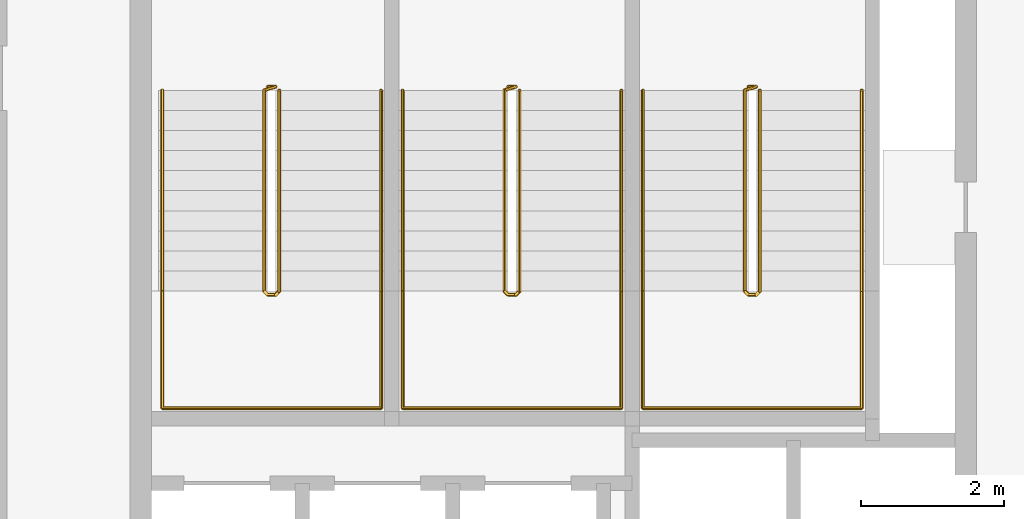
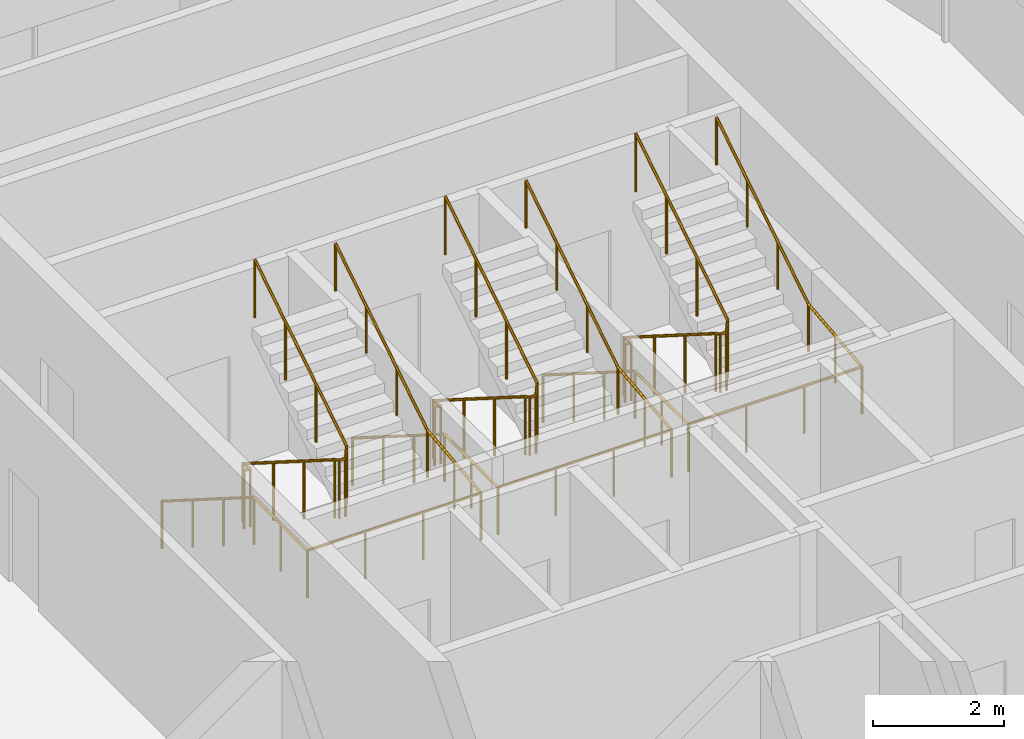
# One storey, part 9 of 9: 6 railings.
"""IFC4 building model written with IfcOpenShell, lengths in metres."""

from ifc_helpers import new_model, si_unit, direction, frame, origin, origin_2d, place, context, subcontext, project, spatial, circle, extrude, material, type_object, element, save


model = new_model("IFC4")

# Units and contexts
model_context = context("Model", 3, precision=1e-05, world=origin(), true_north=direction((0.0, 1.0)))
body_context = subcontext(model_context, "Body", "Model", "MODEL_VIEW")
ifc_project = project(units=[si_unit("LENGTHUNIT", "METRE"), si_unit("AREAUNIT", "SQUARE_METRE"), si_unit("VOLUMEUNIT", "CUBIC_METRE"), si_unit("PLANEANGLEUNIT", "RADIAN"), si_unit("MASSUNIT", "GRAM", prefix="KILO")], contexts=[model_context])

# Site, building, storey
site_placement = place(None, origin())
site = spatial("IfcSite", under=ifc_project, at=site_placement, CompositionType="ELEMENT")
building_placement = place(site_placement, origin())
building = spatial("IfcBuilding", under=site, at=building_placement, Name="Tessera Arch", CompositionType="ELEMENT")
storey_placement = place(building_placement, frame((0.0, 0.0, 309.0)))
storey = spatial("IfcBuildingStorey", under=building, at=storey_placement, Name="L74", CompositionType="ELEMENT", Elevation=309.0)

# Railings
ifc_material_1 = material(Name="Painted steel balustrade", Category="steel")
railing_type_1 = type_object("IfcRailingType", Name="Stair guard 1100", PredefinedType="GUARDRAIL", material=ifc_material_1)
railing_1_placement = place(storey_placement, frame((38.219970703125, 43.6298828125, 0.0)))
element("IfcRailing", 1, at=railing_1_placement, inside=storey, type_object=railing_type_1, Name="L74 S1a stair guard 1", PredefinedType="GUARDRAIL", context=body_context, shape_type="SweptSolid", body=[
    extrude(circle(Radius=0.02392578125, at=origin_2d()), frame((-0.00390625, 0.0, 1.076171875), z_axis=(1.0, 0.0, 0.0), x_axis=(0.0, 1.0, 0.0)), (0.0, 0.0, 1.0), 0.1181640625),
    extrude(circle(Radius=0.02392578125, at=origin_2d()), frame((0.11279296875, 0.000732421875, 1.0732421875), z_axis=(-0.656319048605, -0.204099216335, 0.726353093426), x_axis=(0.296948579431, -0.954893471113, 0.0)), (0.0, 0.0, 1.0), 0.251953125),
    extrude(circle(Radius=0.02392578125, at=origin_2d()), frame((-0.050048828125, -0.04638671875, 1.251220703125), z_axis=(0.0, -0.844908973607, 0.534910110503), x_axis=(1.0, 0.0, 0.0)), (0.0, 0.0, 1.0), 3.322021484375),
    extrude(circle(Radius=0.02392578125, at=origin_2d()), frame((-0.052978515625, -2.846923828125, 3.02587890625), z_axis=(0.707106781187, -0.707106781187, 0.0), x_axis=(0.707106781187, 0.707106781187, 0.0)), (0.0, 0.0, 1.0), 0.078857421875),
    extrude(circle(Radius=0.02392578125, at=origin_2d()), frame((-0.00390625, -2.89990234375, 3.02587890625), z_axis=(1.0, 0.0, 0.0), x_axis=(0.0, 1.0, 0.0)), (0.0, 0.0, 1.0), 0.1181640625),
    extrude(circle(Radius=0.02392578125, at=origin_2d()), frame((0.109130859375, -2.90087890625, 3.022216796875), z_axis=(0.261041864531, 0.262321481514, 0.929001929653), x_axis=(-0.708833529934, 0.705375805398, 0.0)), (0.0, 0.0, 1.0), 0.19873046875),
    extrude(circle(Radius=0.02392578125, at=origin_2d()), frame((0.159912109375, -2.853271484375, 3.201171875), z_axis=(0.0, 0.844908973607, 0.534910110503), x_axis=(-1.0, 0.0, 0.0)), (0.0, 0.0, 1.0), 3.322021484375),
    extrude(circle(Radius=0.02099609375, at=origin_2d()), origin(), (0.0, 0.0, 1.0), 1.06396484375),
    extrude(circle(Radius=0.02099609375, at=origin_2d()), frame((0.110107421875, 0.0, 0.0)), (0.0, 0.0, 1.0), 1.06396484375),
    extrude(circle(Radius=0.02099609375, at=origin_2d()), frame((-0.050048828125, -0.0498046875, 0.17724609375)), (0.0, 0.0, 1.0), 1.06396484375),
    extrude(circle(Radius=0.02099609375, at=origin_2d()), frame((-0.050048828125, -0.983154296875, 0.76806640625)), (0.0, 0.0, 1.0), 1.06396484375),
    extrude(circle(Radius=0.02099609375, at=origin_2d()), frame((-0.050048828125, -1.91650390625, 1.359130859375)), (0.0, 0.0, 1.0), 1.06396484375),
    extrude(circle(Radius=0.02099609375, at=origin_2d()), frame((-0.050048828125, -2.849853515625, 1.949951171875)), (0.0, 0.0, 1.0), 1.06396484375),
    extrude(circle(Radius=0.02099609375, at=origin_2d()), frame((0.0, -2.89990234375, 1.949951171875)), (0.0, 0.0, 1.0), 1.06396484375),
    extrude(circle(Radius=0.02099609375, at=origin_2d()), frame((0.110107421875, -2.89990234375, 1.949951171875)), (0.0, 0.0, 1.0), 1.06396484375),
    extrude(circle(Radius=0.02099609375, at=origin_2d()), frame((0.159912109375, -2.849853515625, 2.127197265625)), (0.0, 0.0, 1.0), 1.06396484375),
    extrude(circle(Radius=0.02099609375, at=origin_2d()), frame((0.159912109375, -1.91650390625, 2.718017578125)), (0.0, 0.0, 1.0), 1.06396484375),
    extrude(circle(Radius=0.02099609375, at=origin_2d()), frame((0.159912109375, -0.983154296875, 3.30908203125)), (0.0, 0.0, 1.0), 1.06396484375),
    extrude(circle(Radius=0.02099609375, at=origin_2d()), frame((0.159912109375, -0.0498046875, 3.89990234375)), (0.0, 0.0, 1.0), 1.06396484375),
])
railing_2_placement = place(storey_placement, frame((41.570068359375, 43.6298828125, 0.0)))
element("IfcRailing", 2, at=railing_2_placement, inside=storey, type_object=railing_type_1, Name="L74 S1b stair guard 1", PredefinedType="GUARDRAIL", context=body_context, shape_type="SweptSolid", body=[
    extrude(circle(Radius=0.02392578125, at=origin_2d()), frame((-0.00390625, 0.0, 1.076171875), z_axis=(1.0, 0.0, 0.0), x_axis=(0.0, 1.0, 0.0)), (0.0, 0.0, 1.0), 0.117919921875),
    extrude(circle(Radius=0.02392578125, at=origin_2d()), frame((0.112548828125, 0.000732421875, 1.0732421875), z_axis=(-0.65574896516, -0.204233265485, 0.726830150696), x_axis=(0.297361876254, -0.954764847777, 0.0)), (0.0, 0.0, 1.0), 0.251953125),
    extrude(circle(Radius=0.02392578125, at=origin_2d()), frame((-0.050048828125, -0.04638671875, 1.251220703125), z_axis=(0.0, -0.844908973607, 0.534910110503), x_axis=(1.0, 0.0, 0.0)), (0.0, 0.0, 1.0), 3.322021484375),
    extrude(circle(Radius=0.02392578125, at=origin_2d()), frame((-0.052978515625, -2.846923828125, 3.02587890625), z_axis=(0.707106781187, -0.707106781187, 0.0), x_axis=(0.707106781187, 0.707106781187, 0.0)), (0.0, 0.0, 1.0), 0.078857421875),
    extrude(circle(Radius=0.02392578125, at=origin_2d()), frame((-0.00390625, -2.89990234375, 3.02587890625), z_axis=(1.0, 0.0, 0.0), x_axis=(0.0, 1.0, 0.0)), (0.0, 0.0, 1.0), 0.117919921875),
    extrude(circle(Radius=0.02392578125, at=origin_2d()), frame((0.10888671875, -2.90087890625, 3.022216796875), z_axis=(0.262233686654, 0.262233686654, 0.928691007369), x_axis=(-0.707106781187, 0.707106781187, 0.0)), (0.0, 0.0, 1.0), 0.198974609375),
    extrude(circle(Radius=0.02392578125, at=origin_2d()), frame((0.159912109375, -2.853271484375, 3.201171875), z_axis=(0.0, 0.844908973607, 0.534910110503), x_axis=(-1.0, 0.0, 0.0)), (0.0, 0.0, 1.0), 3.322021484375),
    extrude(circle(Radius=0.02099609375, at=origin_2d()), origin(), (0.0, 0.0, 1.0), 1.06396484375),
    extrude(circle(Radius=0.02099609375, at=origin_2d()), frame((0.10986328125, 0.0, 0.0)), (0.0, 0.0, 1.0), 1.06396484375),
    extrude(circle(Radius=0.02099609375, at=origin_2d()), frame((-0.050048828125, -0.0498046875, 0.17724609375)), (0.0, 0.0, 1.0), 1.06396484375),
    extrude(circle(Radius=0.02099609375, at=origin_2d()), frame((-0.050048828125, -0.983154296875, 0.76806640625)), (0.0, 0.0, 1.0), 1.06396484375),
    extrude(circle(Radius=0.02099609375, at=origin_2d()), frame((-0.050048828125, -1.91650390625, 1.359130859375)), (0.0, 0.0, 1.0), 1.06396484375),
    extrude(circle(Radius=0.02099609375, at=origin_2d()), frame((-0.050048828125, -2.849853515625, 1.949951171875)), (0.0, 0.0, 1.0), 1.06396484375),
    extrude(circle(Radius=0.02099609375, at=origin_2d()), frame((0.0, -2.89990234375, 1.949951171875)), (0.0, 0.0, 1.0), 1.06396484375),
    extrude(circle(Radius=0.02099609375, at=origin_2d()), frame((0.10986328125, -2.89990234375, 1.949951171875)), (0.0, 0.0, 1.0), 1.06396484375),
    extrude(circle(Radius=0.02099609375, at=origin_2d()), frame((0.159912109375, -2.849853515625, 2.127197265625)), (0.0, 0.0, 1.0), 1.06396484375),
    extrude(circle(Radius=0.02099609375, at=origin_2d()), frame((0.159912109375, -1.91650390625, 2.718017578125)), (0.0, 0.0, 1.0), 1.06396484375),
    extrude(circle(Radius=0.02099609375, at=origin_2d()), frame((0.159912109375, -0.983154296875, 3.30908203125)), (0.0, 0.0, 1.0), 1.06396484375),
    extrude(circle(Radius=0.02099609375, at=origin_2d()), frame((0.159912109375, -0.0498046875, 3.89990234375)), (0.0, 0.0, 1.0), 1.06396484375),
])
railing_3_placement = place(storey_placement, frame((44.919921875, 43.6298828125, 0.0)))
element("IfcRailing", 3, at=railing_3_placement, inside=storey, type_object=railing_type_1, Name="L74 S1c stair guard 1", PredefinedType="GUARDRAIL", context=body_context, shape_type="SweptSolid", body=[
    extrude(circle(Radius=0.02392578125, at=origin_2d()), frame((-0.00390625, 0.0, 1.076171875), z_axis=(1.0, 0.0, 0.0), x_axis=(0.0, 1.0, 0.0)), (0.0, 0.0, 1.0), 0.1181640625),
    extrude(circle(Radius=0.02392578125, at=origin_2d()), frame((0.11279296875, 0.000732421875, 1.0732421875), z_axis=(-0.65574896516, -0.204233265485, 0.726830150696), x_axis=(0.297361876254, -0.954764847777, 0.0)), (0.0, 0.0, 1.0), 0.251953125),
    extrude(circle(Radius=0.02392578125, at=origin_2d()), frame((-0.0498046875, -0.04638671875, 1.251220703125), z_axis=(0.0, -0.844908973607, 0.534910110503), x_axis=(1.0, 0.0, 0.0)), (0.0, 0.0, 1.0), 3.322021484375),
    extrude(circle(Radius=0.02392578125, at=origin_2d()), frame((-0.052734375, -2.846923828125, 3.02587890625), z_axis=(0.705375805398, -0.708833529934, 0.0), x_axis=(0.708833529934, 0.705375805398, 0.0)), (0.0, 0.0, 1.0), 0.07861328125),
    extrude(circle(Radius=0.02392578125, at=origin_2d()), frame((-0.00390625, -2.89990234375, 3.02587890625), z_axis=(1.0, 0.0, 0.0), x_axis=(0.0, 1.0, 0.0)), (0.0, 0.0, 1.0), 0.1181640625),
    extrude(circle(Radius=0.02392578125, at=origin_2d()), frame((0.109130859375, -2.90087890625, 3.022216796875), z_axis=(0.262233686654, 0.262233686654, 0.928691007369), x_axis=(-0.707106781187, 0.707106781187, 0.0)), (0.0, 0.0, 1.0), 0.198974609375),
    extrude(circle(Radius=0.02392578125, at=origin_2d()), frame((0.16015625, -2.853271484375, 3.201171875), z_axis=(0.0, 0.844908973607, 0.534910110503), x_axis=(-1.0, 0.0, 0.0)), (0.0, 0.0, 1.0), 3.322021484375),
    extrude(circle(Radius=0.02099609375, at=origin_2d()), origin(), (0.0, 0.0, 1.0), 1.06396484375),
    extrude(circle(Radius=0.02099609375, at=origin_2d()), frame((0.110107421875, 0.0, 0.0)), (0.0, 0.0, 1.0), 1.06396484375),
    extrude(circle(Radius=0.02099609375, at=origin_2d()), frame((-0.0498046875, -0.0498046875, 0.17724609375)), (0.0, 0.0, 1.0), 1.06396484375),
    extrude(circle(Radius=0.02099609375, at=origin_2d()), frame((-0.0498046875, -0.983154296875, 0.76806640625)), (0.0, 0.0, 1.0), 1.06396484375),
    extrude(circle(Radius=0.02099609375, at=origin_2d()), frame((-0.0498046875, -1.91650390625, 1.359130859375)), (0.0, 0.0, 1.0), 1.06396484375),
    extrude(circle(Radius=0.02099609375, at=origin_2d()), frame((-0.0498046875, -2.849853515625, 1.949951171875)), (0.0, 0.0, 1.0), 1.06396484375),
    extrude(circle(Radius=0.02099609375, at=origin_2d()), frame((0.0, -2.89990234375, 1.949951171875)), (0.0, 0.0, 1.0), 1.06396484375),
    extrude(circle(Radius=0.02099609375, at=origin_2d()), frame((0.110107421875, -2.89990234375, 1.949951171875)), (0.0, 0.0, 1.0), 1.06396484375),
    extrude(circle(Radius=0.02099609375, at=origin_2d()), frame((0.16015625, -2.849853515625, 2.127197265625)), (0.0, 0.0, 1.0), 1.06396484375),
    extrude(circle(Radius=0.02099609375, at=origin_2d()), frame((0.16015625, -1.91650390625, 2.718017578125)), (0.0, 0.0, 1.0), 1.06396484375),
    extrude(circle(Radius=0.02099609375, at=origin_2d()), frame((0.16015625, -0.983154296875, 3.30908203125)), (0.0, 0.0, 1.0), 1.06396484375),
    extrude(circle(Radius=0.02099609375, at=origin_2d()), frame((0.16015625, -0.0498046875, 3.89990234375)), (0.0, 0.0, 1.0), 1.06396484375),
])
ifc_material_2 = material(Name="Painted steel handrail", Category="steel")
railing_type_2 = type_object("IfcRailingType", Name="Stair handrail 900", PredefinedType="HANDRAIL", material=ifc_material_2)
railing_4_placement = place(storey_placement, frame((36.75, 43.580078125, 0.17724609375)))
element("IfcRailing", 4, at=railing_4_placement, inside=storey, type_object=railing_type_2, Name="L74 S1a stair handrail", PredefinedType="HANDRAIL", context=body_context, shape_type="SweptSolid", body=[
    extrude(circle(Radius=0.02392578125, at=origin_2d()), frame((0.0, 0.00341796875, 0.873779296875), z_axis=(0.0, -0.844908973607, 0.534910110503), x_axis=(1.0, 0.0, 0.0)), (0.0, 0.0, 1.0), 3.322021484375),
    extrude(circle(Radius=0.02392578125, at=origin_2d()), frame((0.0, -2.796142578125, 2.6484375), z_axis=(0.0, -1.0, 0.0), x_axis=(1.0, 0.0, 0.0)), (0.0, 0.0, 1.0), 1.63818359375),
    extrude(circle(Radius=0.02392578125, at=origin_2d()), frame((-0.00390625, -4.43017578125, 2.6484375), z_axis=(1.0, 0.0, 0.0), x_axis=(0.0, 1.0, 0.0)), (0.0, 0.0, 1.0), 3.05810546875),
    extrude(circle(Radius=0.02392578125, at=origin_2d()), frame((3.050048828125, -4.43408203125, 2.648193359375), z_axis=(0.0, 0.994140637614, 0.108094369164), x_axis=(-1.0, 0.0, 0.0)), (0.0, 0.0, 1.0), 1.647705078125),
    extrude(circle(Radius=0.02392578125, at=origin_2d()), frame((3.050048828125, -2.803466796875, 2.82373046875), z_axis=(0.0, 0.844908973607, 0.534910110503), x_axis=(-1.0, 0.0, 0.0)), (0.0, 0.0, 1.0), 3.322021484375),
    extrude(circle(Radius=0.02099609375, at=origin_2d()), origin(), (0.0, 0.0, 1.0), 0.86376953125),
    extrude(circle(Radius=0.02099609375, at=origin_2d()), frame((0.0, -0.933349609375, 0.5908203125)), (0.0, 0.0, 1.0), 0.86376953125),
    extrude(circle(Radius=0.02099609375, at=origin_2d()), frame((0.0, -1.86669921875, 1.181884765625)), (0.0, 0.0, 1.0), 0.86376953125),
    extrude(circle(Radius=0.02099609375, at=origin_2d()), frame((0.0, -2.800048828125, 1.772705078125)), (0.0, 0.0, 1.0), 0.86376953125),
    extrude(circle(Radius=0.02099609375, at=origin_2d()), frame((0.0, -3.615234375, 1.772705078125)), (0.0, 0.0, 1.0), 0.86376953125),
    extrude(circle(Radius=0.02099609375, at=origin_2d()), frame((0.0, -4.43017578125, 1.772705078125)), (0.0, 0.0, 1.0), 0.86376953125),
    extrude(circle(Radius=0.02099609375, at=origin_2d()), frame((1.0166015625, -4.43017578125, 1.772705078125)), (0.0, 0.0, 1.0), 0.86376953125),
    extrude(circle(Radius=0.02099609375, at=origin_2d()), frame((2.033447265625, -4.43017578125, 1.772705078125)), (0.0, 0.0, 1.0), 0.86376953125),
    extrude(circle(Radius=0.02099609375, at=origin_2d()), frame((3.050048828125, -4.43017578125, 1.772705078125)), (0.0, 0.0, 1.0), 0.86376953125),
    extrude(circle(Radius=0.02099609375, at=origin_2d()), frame((3.050048828125, -3.615234375, 1.861328125)), (0.0, 0.0, 1.0), 0.86376953125),
    extrude(circle(Radius=0.02099609375, at=origin_2d()), frame((3.050048828125, -2.800048828125, 1.949951171875)), (0.0, 0.0, 1.0), 0.86376953125),
    extrude(circle(Radius=0.02099609375, at=origin_2d()), frame((3.050048828125, -1.86669921875, 2.540771484375)), (0.0, 0.0, 1.0), 0.86376953125),
    extrude(circle(Radius=0.02099609375, at=origin_2d()), frame((3.050048828125, -0.933349609375, 3.1318359375)), (0.0, 0.0, 1.0), 0.86376953125),
    extrude(circle(Radius=0.02099609375, at=origin_2d()), frame((3.050048828125, 0.0, 3.72265625)), (0.0, 0.0, 1.0), 0.86376953125),
])
railing_5_placement = place(storey_placement, frame((40.10009765625, 43.580078125, 0.17724609375)))
element("IfcRailing", 5, at=railing_5_placement, inside=storey, type_object=railing_type_2, Name="L74 S1b stair handrail", PredefinedType="HANDRAIL", context=body_context, shape_type="SweptSolid", body=[
    extrude(circle(Radius=0.02392578125, at=origin_2d()), frame((0.0, 0.00341796875, 0.873779296875), z_axis=(0.0, -0.844908973607, 0.534910110503), x_axis=(1.0, 0.0, 0.0)), (0.0, 0.0, 1.0), 3.322021484375),
    extrude(circle(Radius=0.02392578125, at=origin_2d()), frame((0.0, -2.796142578125, 2.6484375), z_axis=(0.0, -1.0, 0.0), x_axis=(1.0, 0.0, 0.0)), (0.0, 0.0, 1.0), 1.63818359375),
    extrude(circle(Radius=0.02392578125, at=origin_2d()), frame((-0.00390625, -4.43017578125, 2.6484375), z_axis=(1.0, 0.0, 0.0), x_axis=(0.0, 1.0, 0.0)), (0.0, 0.0, 1.0), 3.057861328125),
    extrude(circle(Radius=0.02392578125, at=origin_2d()), frame((3.0498046875, -4.43408203125, 2.648193359375), z_axis=(0.0, 0.994140637614, 0.108094369164), x_axis=(-1.0, 0.0, 0.0)), (0.0, 0.0, 1.0), 1.647705078125),
    extrude(circle(Radius=0.02392578125, at=origin_2d()), frame((3.0498046875, -2.803466796875, 2.82373046875), z_axis=(0.0, 0.844908973607, 0.534910110503), x_axis=(-1.0, 0.0, 0.0)), (0.0, 0.0, 1.0), 3.322021484375),
    extrude(circle(Radius=0.02099609375, at=origin_2d()), origin(), (0.0, 0.0, 1.0), 0.86376953125),
    extrude(circle(Radius=0.02099609375, at=origin_2d()), frame((0.0, -0.933349609375, 0.5908203125)), (0.0, 0.0, 1.0), 0.86376953125),
    extrude(circle(Radius=0.02099609375, at=origin_2d()), frame((0.0, -1.86669921875, 1.181884765625)), (0.0, 0.0, 1.0), 0.86376953125),
    extrude(circle(Radius=0.02099609375, at=origin_2d()), frame((0.0, -2.800048828125, 1.772705078125)), (0.0, 0.0, 1.0), 0.86376953125),
    extrude(circle(Radius=0.02099609375, at=origin_2d()), frame((0.0, -3.615234375, 1.772705078125)), (0.0, 0.0, 1.0), 0.86376953125),
    extrude(circle(Radius=0.02099609375, at=origin_2d()), frame((0.0, -4.43017578125, 1.772705078125)), (0.0, 0.0, 1.0), 0.86376953125),
    extrude(circle(Radius=0.02099609375, at=origin_2d()), frame((1.0166015625, -4.43017578125, 1.772705078125)), (0.0, 0.0, 1.0), 0.86376953125),
    extrude(circle(Radius=0.02099609375, at=origin_2d()), frame((2.033203125, -4.43017578125, 1.772705078125)), (0.0, 0.0, 1.0), 0.86376953125),
    extrude(circle(Radius=0.02099609375, at=origin_2d()), frame((3.0498046875, -4.43017578125, 1.772705078125)), (0.0, 0.0, 1.0), 0.86376953125),
    extrude(circle(Radius=0.02099609375, at=origin_2d()), frame((3.0498046875, -3.615234375, 1.861328125)), (0.0, 0.0, 1.0), 0.86376953125),
    extrude(circle(Radius=0.02099609375, at=origin_2d()), frame((3.0498046875, -2.800048828125, 1.949951171875)), (0.0, 0.0, 1.0), 0.86376953125),
    extrude(circle(Radius=0.02099609375, at=origin_2d()), frame((3.0498046875, -1.86669921875, 2.540771484375)), (0.0, 0.0, 1.0), 0.86376953125),
    extrude(circle(Radius=0.02099609375, at=origin_2d()), frame((3.0498046875, -0.933349609375, 3.1318359375)), (0.0, 0.0, 1.0), 0.86376953125),
    extrude(circle(Radius=0.02099609375, at=origin_2d()), frame((3.0498046875, 0.0, 3.72265625)), (0.0, 0.0, 1.0), 0.86376953125),
])
railing_6_placement = place(storey_placement, frame((43.449951171875, 43.580078125, 0.17724609375)))
element("IfcRailing", 6, at=railing_6_placement, inside=storey, type_object=railing_type_2, Name="L74 S1c stair handrail", PredefinedType="HANDRAIL", context=body_context, shape_type="SweptSolid", body=[
    extrude(circle(Radius=0.02392578125, at=origin_2d()), frame((0.0, 0.00341796875, 0.873779296875), z_axis=(0.0, -0.844908973607, 0.534910110503), x_axis=(1.0, 0.0, 0.0)), (0.0, 0.0, 1.0), 3.322021484375),
    extrude(circle(Radius=0.02392578125, at=origin_2d()), frame((0.0, -2.796142578125, 2.6484375), z_axis=(0.0, -1.0, 0.0), x_axis=(1.0, 0.0, 0.0)), (0.0, 0.0, 1.0), 1.63818359375),
    extrude(circle(Radius=0.02392578125, at=origin_2d()), frame((-0.00390625, -4.43017578125, 2.6484375), z_axis=(1.0, 0.0, 0.0), x_axis=(0.0, 1.0, 0.0)), (0.0, 0.0, 1.0), 3.05810546875),
    extrude(circle(Radius=0.02392578125, at=origin_2d()), frame((3.050048828125, -4.43408203125, 2.648193359375), z_axis=(0.0, 0.994140637614, 0.108094369164), x_axis=(-1.0, 0.0, 0.0)), (0.0, 0.0, 1.0), 1.647705078125),
    extrude(circle(Radius=0.02392578125, at=origin_2d()), frame((3.050048828125, -2.803466796875, 2.82373046875), z_axis=(0.0, 0.844908973607, 0.534910110503), x_axis=(-1.0, 0.0, 0.0)), (0.0, 0.0, 1.0), 3.322021484375),
    extrude(circle(Radius=0.02099609375, at=origin_2d()), origin(), (0.0, 0.0, 1.0), 0.86376953125),
    extrude(circle(Radius=0.02099609375, at=origin_2d()), frame((0.0, -0.933349609375, 0.5908203125)), (0.0, 0.0, 1.0), 0.86376953125),
    extrude(circle(Radius=0.02099609375, at=origin_2d()), frame((0.0, -1.86669921875, 1.181884765625)), (0.0, 0.0, 1.0), 0.86376953125),
    extrude(circle(Radius=0.02099609375, at=origin_2d()), frame((0.0, -2.800048828125, 1.772705078125)), (0.0, 0.0, 1.0), 0.86376953125),
    extrude(circle(Radius=0.02099609375, at=origin_2d()), frame((0.0, -3.615234375, 1.772705078125)), (0.0, 0.0, 1.0), 0.86376953125),
    extrude(circle(Radius=0.02099609375, at=origin_2d()), frame((0.0, -4.43017578125, 1.772705078125)), (0.0, 0.0, 1.0), 0.86376953125),
    extrude(circle(Radius=0.02099609375, at=origin_2d()), frame((1.0166015625, -4.43017578125, 1.772705078125)), (0.0, 0.0, 1.0), 0.86376953125),
    extrude(circle(Radius=0.02099609375, at=origin_2d()), frame((2.033447265625, -4.43017578125, 1.772705078125)), (0.0, 0.0, 1.0), 0.86376953125),
    extrude(circle(Radius=0.02099609375, at=origin_2d()), frame((3.050048828125, -4.43017578125, 1.772705078125)), (0.0, 0.0, 1.0), 0.86376953125),
    extrude(circle(Radius=0.02099609375, at=origin_2d()), frame((3.050048828125, -3.615234375, 1.861328125)), (0.0, 0.0, 1.0), 0.86376953125),
    extrude(circle(Radius=0.02099609375, at=origin_2d()), frame((3.050048828125, -2.800048828125, 1.949951171875)), (0.0, 0.0, 1.0), 0.86376953125),
    extrude(circle(Radius=0.02099609375, at=origin_2d()), frame((3.050048828125, -1.86669921875, 2.540771484375)), (0.0, 0.0, 1.0), 0.86376953125),
    extrude(circle(Radius=0.02099609375, at=origin_2d()), frame((3.050048828125, -0.933349609375, 3.1318359375)), (0.0, 0.0, 1.0), 0.86376953125),
    extrude(circle(Radius=0.02099609375, at=origin_2d()), frame((3.050048828125, 0.0, 3.72265625)), (0.0, 0.0, 1.0), 0.86376953125),
])

save(model, "model.ifc")
